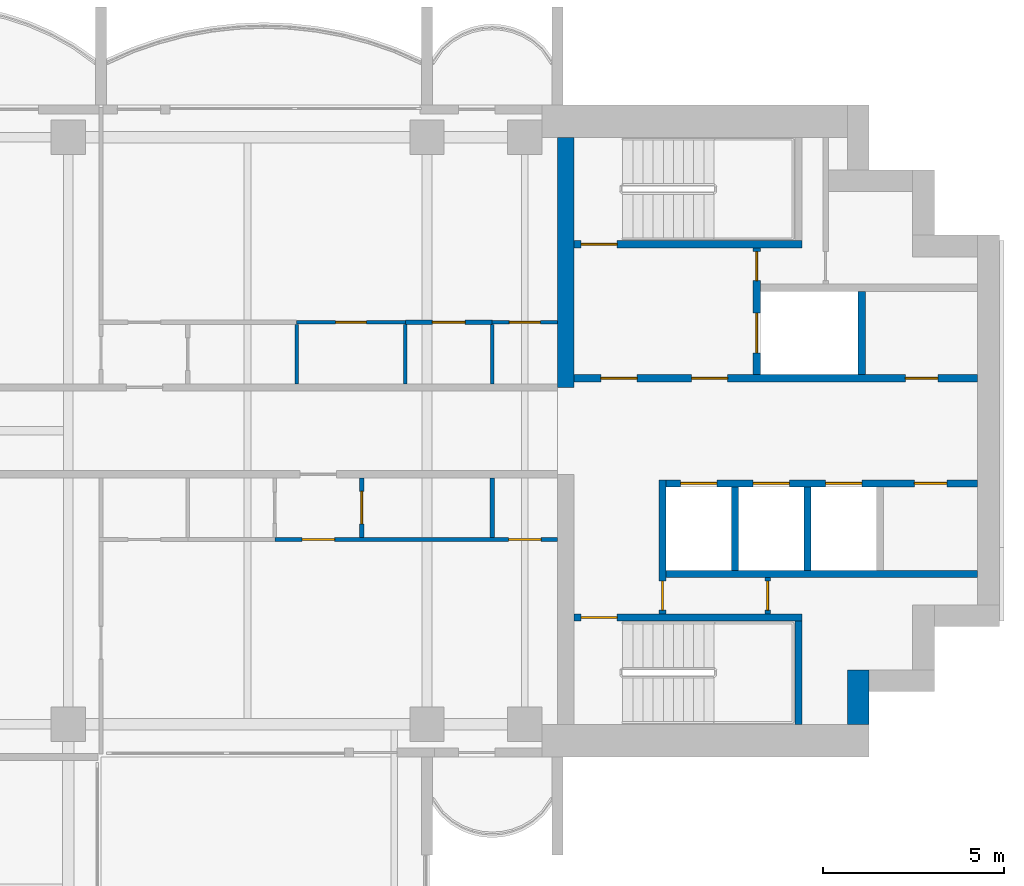
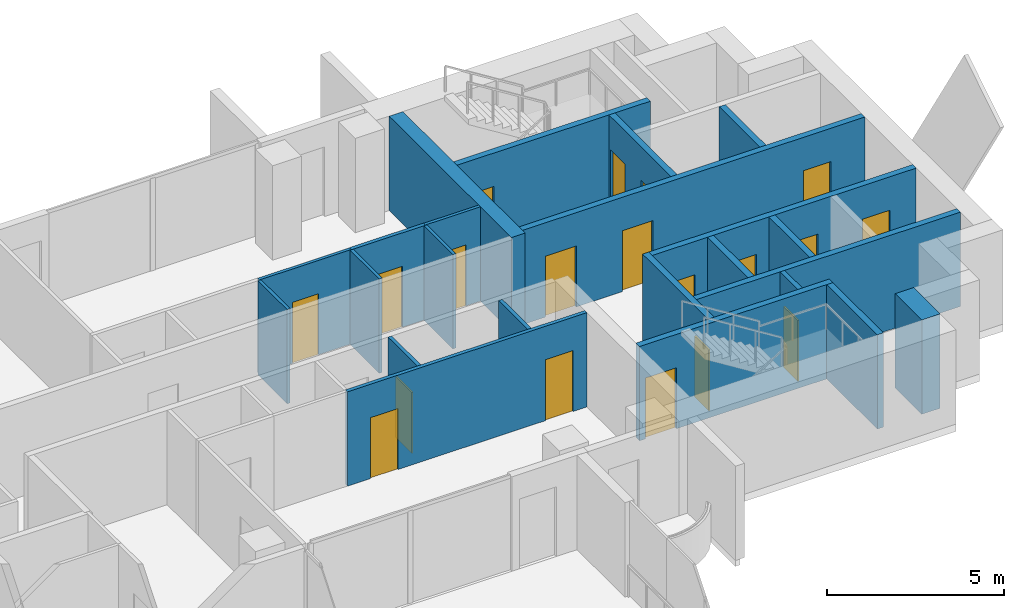
# One storey, part 12 of 17: 23 walls, 19 doors, 19 openings.
"""IFC4 building model written with IfcOpenShell, lengths in metres."""

from ifc_helpers import new_model, si_unit, direction, frame, frame_2d, origin, place, context, subcontext, project, spatial, rectangle, extrude, material, layer, layer_set, type_object, element, fill, save


model = new_model("IFC4")

# Units and contexts
model_context = context("Model", 3, precision=1e-05, world=origin(), true_north=direction((0.0, 1.0)))
body_context = subcontext(model_context, "Body", "Model", "MODEL_VIEW")
ifc_project = project(units=[si_unit("LENGTHUNIT", "METRE"), si_unit("AREAUNIT", "SQUARE_METRE"), si_unit("VOLUMEUNIT", "CUBIC_METRE"), si_unit("PLANEANGLEUNIT", "RADIAN"), si_unit("MASSUNIT", "GRAM", prefix="KILO")], contexts=[model_context])

# Site, building, storey
site_placement = place(None, origin())
site = spatial("IfcSite", under=ifc_project, at=site_placement, CompositionType="ELEMENT")
building_placement = place(site_placement, origin())
building = spatial("IfcBuilding", under=site, at=building_placement, Name="Perihelion Cross Residences", CompositionType="ELEMENT")
storey_placement = place(building_placement, frame((0.0, 0.0, 191.10009765625)))
storey = spatial("IfcBuildingStorey", under=building, at=storey_placement, Name="L47", CompositionType="ELEMENT", Elevation=191.10009765625)

# Walls
ifc_material_1 = material(Name="Concrete C60/75", Category="concrete")
ifc_layer_1 = layer(ifc_material_1, 0.449951171875)
ifc_layer_set_1 = layer_set([ifc_layer_1], Name="Core wall, inner 450")
wall_type_1 = type_object("IfcWallType", Name="Core wall, inner 450", PredefinedType="SHEAR", material=ifc_layer_set_1)
wall_1_placement = place(storey_placement, frame((21.824951171875, 1.199951171875, 0.0), z_axis=(0.0, 0.0, 1.0), x_axis=(0.0, 1.0, 0.0)))
element("IfcWall", 1, at=wall_1_placement, inside=storey, type_object=wall_type_1, Name="East core core wall, inner", PredefinedType="SHEAR", context=body_context, shape_type="SweptSolid", body=[
    extrude(rectangle(XDim=6.900146484375, YDim=0.449951171875, at=frame_2d((3.4501953125, 0.0))), origin(), (0.0, 0.0, 1.0), 3.25),
])
ifc_material_2 = material(Name="Concrete C60/75", Category="concrete")
ifc_layer_2 = layer(ifc_material_2, 0.60009765625)
ifc_layer_set_2 = layer_set([ifc_layer_2], Name="Core wall, outer 600")
wall_type_2 = type_object("IfcWallType", Name="Core wall, outer 600", PredefinedType="SHEAR", material=ifc_layer_set_2)
wall_2_placement = place(storey_placement, frame((29.89990234375, -8.10009765625, 0.0), z_axis=(0.0, 0.0, 1.0), x_axis=(0.0, 1.0, 0.0)))
element("IfcWall", 2, at=wall_2_placement, inside=storey, type_object=wall_type_2, Name="East core core wall, outer", PredefinedType="SHEAR", context=body_context, shape_type="SweptSolid", body=[
    extrude(rectangle(XDim=1.5, YDim=0.60009765625, at=frame_2d((0.75, 0.0))), origin(), (0.0, 0.0, 1.0), 3.25),
])

# Wall, opening, door
ifc_material_3 = material(Name="Concrete C50/60", Category="concrete")
ifc_layer_3 = layer(ifc_material_3, 0.199951171875)
ifc_layer_set_3 = layer_set([ifc_layer_3], Name="Lobby wall 200")
wall_type_3 = type_object("IfcWallType", Name="Lobby wall 200", PredefinedType="SOLIDWALL", material=ifc_layer_set_3)
wall_3_placement = place(storey_placement, frame((24.5, -5.050048828125, 0.0), z_axis=(0.0, 0.0, 1.0), x_axis=(0.0, 1.0, 0.0)))
wall_3 = element("IfcWall", 3, at=wall_3_placement, inside=storey, type_object=wall_type_3, Name="East core lobby wall", PredefinedType="SOLIDWALL", context=body_context, shape_type="SweptSolid", body=[
    extrude(rectangle(XDim=3.699951171875, YDim=0.199951171875, at=frame_2d((1.85009765625, 0.0))), origin(), (0.0, 0.0, 1.0), 3.25),
])
opening_1_placement = place(wall_3_placement, frame((0.10009765625, 0.0, 0.0)))
opening_1 = element("IfcOpeningElement", 4, at=opening_1_placement, cuts=wall_3, Name="Opening L47.C08", PredefinedType="OPENING", context=body_context, shape_type="SweptSolid", body=[
    extrude(rectangle(XDim=0.800048828125, YDim=2.10009765625, at=frame_2d((0.39990234375, 1.050048828125))), frame((0.0, 0.10986328125, 0.0), z_axis=(0.0, -1.0, 0.0), x_axis=(1.0, 0.0, 0.0)), (0.0, 0.0, 1.0), 0.219970703125),
])
ifc_material_4 = material(Name="Steel, powder coated", Category="steel")
door_type_1 = type_object("IfcDoorType", Name="Riser door 800", OperationType="SINGLE_SWING_LEFT", PredefinedType="DOOR", material=ifc_material_4)
door_1_placement = place(opening_1_placement, origin())
door_1 = element("IfcDoor", 5, at=door_1_placement, inside=storey, type_object=door_type_1, Name="East core riser door", OperationType="SINGLE_SWING_LEFT", OverallHeight=2.10009765625, OverallWidth=0.800048828125, PredefinedType="DOOR", context=body_context, shape_type="SweptSolid", body=[
    extrude(rectangle(XDim=0.800048828125, YDim=2.10009765625, at=frame_2d((0.39990234375, 1.050048828125))), frame((0.0, 0.02490234375, 0.0), z_axis=(0.0, -1.0, 0.0), x_axis=(1.0, 0.0, 0.0)), (0.0, 0.0, 1.0), 0.050048828125),
])
fill(opening_1, door_1)

ifc_material_5 = material(Name="Plasterboard partition")
ifc_layer_4 = layer(ifc_material_5, 0.1201171875)
ifc_layer_set_4 = layer_set([ifc_layer_4], Name="Partition wall 120")
wall_type_4 = type_object("IfcWallType", Name="Partition wall 120", PredefinedType="PARTITIONING", material=ifc_layer_set_4)
wall_4_placement = place(storey_placement, frame((17.39990234375, 3.0, 0.0), z_axis=(0.0, 0.0, 1.0), x_axis=(1.0, 0.0, 0.0)))
wall_4 = element("IfcWall", 6, at=wall_4_placement, inside=storey, type_object=wall_type_4, Name="Partition L47 W029", PredefinedType="PARTITIONING", context=body_context, shape_type="SweptSolid", body=[
    extrude(rectangle(XDim=2.400146484375, YDim=0.1201171875, at=frame_2d((1.2001953125, 0.0))), origin(), (0.0, 0.0, 1.0), 3.25),
])
opening_2_placement = place(wall_4_placement, frame((0.75, 0.0, 0.0)))
opening_2 = element("IfcOpeningElement", 7, at=opening_2_placement, cuts=wall_4, Name="Opening L47.A08", PredefinedType="OPENING", context=body_context, shape_type="SweptSolid", body=[
    extrude(rectangle(XDim=0.89990234375, YDim=2.10009765625, at=frame_2d((0.449951171875, 1.050048828125))), frame((0.0, 0.070068359375, 0.0), z_axis=(0.0, -1.0, 0.0), x_axis=(1.0, 0.0, 0.0)), (0.0, 0.0, 1.0), 0.14013671875),
])
ifc_material_6 = material(Name="Timber door leaf", Category="wood")
door_type_2 = type_object("IfcDoorType", Name="Interior room door 900 x 2100", OperationType="SINGLE_SWING_LEFT", PredefinedType="DOOR", material=ifc_material_6)
door_2_placement = place(opening_2_placement, origin())
door_2 = element("IfcDoor", 8, at=door_2_placement, inside=storey, type_object=door_type_2, Name="Door L47.A08", OperationType="SINGLE_SWING_RIGHT", OverallHeight=2.10009765625, OverallWidth=0.89990234375, PredefinedType="DOOR", context=body_context, shape_type="SweptSolid", body=[
    extrude(rectangle(XDim=0.89990234375, YDim=2.10009765625, at=frame_2d((0.449951171875, 1.050048828125))), frame((0.0, 0.02490234375, 0.0), z_axis=(0.0, -1.0, 0.0), x_axis=(1.0, 0.0, 0.0)), (0.0, 0.0, 1.0), 0.050048828125),
])
fill(opening_2, door_2)

wall_5_placement = place(storey_placement, frame((16.199951171875, -1.300048828125, 0.0), z_axis=(0.0, 0.0, 1.0), x_axis=(0.0, -1.0, 0.0)))
wall_5 = element("IfcWall", 9, at=wall_5_placement, inside=storey, type_object=wall_type_4, Name="Partition L47 W037", PredefinedType="PARTITIONING", context=body_context, shape_type="SweptSolid", body=[
    extrude(rectangle(XDim=1.639892578125, YDim=0.1201171875, at=frame_2d((0.81982421875, 0.0))), origin(), (0.0, 0.0, 1.0), 3.25),
])
opening_3_placement = place(wall_5_placement, frame((0.3701171875, 0.0, 0.0)))
opening_3 = element("IfcOpeningElement", 10, at=opening_3_placement, cuts=wall_5, Name="Opening L47.A10", PredefinedType="OPENING", context=body_context, shape_type="SweptSolid", body=[
    extrude(rectangle(XDim=0.89990234375, YDim=2.10009765625, at=frame_2d((0.449951171875, 1.050048828125))), frame((0.0, 0.070068359375, 0.0), z_axis=(0.0, -1.0, 0.0), x_axis=(1.0, 0.0, 0.0)), (0.0, 0.0, 1.0), 0.14013671875),
])
door_3_placement = place(opening_3_placement, origin())
door_3 = element("IfcDoor", 11, at=door_3_placement, inside=storey, type_object=door_type_2, Name="Door L47.A10", OperationType="SINGLE_SWING_LEFT", OverallHeight=2.10009765625, OverallWidth=0.89990234375, PredefinedType="DOOR", context=body_context, shape_type="SweptSolid", body=[
    extrude(rectangle(XDim=0.89990234375, YDim=2.10009765625, at=frame_2d((0.449951171875, 1.050048828125))), frame((0.0, 0.02490234375, 0.0), z_axis=(0.0, -1.0, 0.0), x_axis=(1.0, 0.0, 0.0)), (0.0, 0.0, 1.0), 0.050048828125),
])
fill(opening_3, door_3)

# Wall, openings, doors
wall_6_placement = place(storey_placement, frame((21.60009765625, -3.0, 0.0), z_axis=(0.0, 0.0, 1.0), x_axis=(-1.0, 0.0, 0.0)))
wall_6 = element("IfcWall", 12, at=wall_6_placement, inside=storey, type_object=wall_type_4, Name="Partition L47 W038", PredefinedType="PARTITIONING", context=body_context, shape_type="SweptSolid", body=[
    extrude(rectangle(XDim=7.800048828125, YDim=0.1201171875, at=frame_2d((3.89990234375, 0.0))), origin(), (0.0, 0.0, 1.0), 3.25),
])
opening_4_placement = place(wall_6_placement, frame((0.449951171875, 0.0, 0.0)))
opening_4 = element("IfcOpeningElement", 13, at=opening_4_placement, cuts=wall_6, Name="Opening L47.A11", PredefinedType="OPENING", context=body_context, shape_type="SweptSolid", body=[
    extrude(rectangle(XDim=0.89990234375, YDim=2.10009765625, at=frame_2d((0.449951171875, 1.050048828125))), frame((0.0, 0.070068359375, 0.0), z_axis=(0.0, -1.0, 0.0), x_axis=(1.0, 0.0, 0.0)), (0.0, 0.0, 1.0), 0.14013671875),
])
opening_5_placement = place(wall_6_placement, frame((6.14990234375, 0.0, 0.0)))
opening_5 = element("IfcOpeningElement", 14, at=opening_5_placement, cuts=wall_6, Name="Opening L47.A15", PredefinedType="OPENING", context=body_context, shape_type="SweptSolid", body=[
    extrude(rectangle(XDim=0.89990234375, YDim=2.10009765625, at=frame_2d((0.449951171875, 1.050048828125))), frame((0.0, 0.070068359375, 0.0), z_axis=(0.0, -1.0, 0.0), x_axis=(1.0, 0.0, 0.0)), (0.0, 0.0, 1.0), 0.14013671875),
])
door_4_placement = place(opening_4_placement, origin())
door_4 = element("IfcDoor", 15, at=door_4_placement, inside=storey, type_object=door_type_2, Name="Door L47.A11", OperationType="SINGLE_SWING_RIGHT", OverallHeight=2.10009765625, OverallWidth=0.89990234375, PredefinedType="DOOR", context=body_context, shape_type="SweptSolid", body=[
    extrude(rectangle(XDim=0.89990234375, YDim=2.10009765625, at=frame_2d((0.449951171875, 1.050048828125))), frame((0.0, 0.02490234375, 0.0), z_axis=(0.0, -1.0, 0.0), x_axis=(1.0, 0.0, 0.0)), (0.0, 0.0, 1.0), 0.050048828125),
])
fill(opening_4, door_4)
door_5_placement = place(opening_5_placement, origin())
door_5 = element("IfcDoor", 16, at=door_5_placement, inside=storey, type_object=door_type_2, Name="Door L47.A15", OperationType="SINGLE_SWING_RIGHT", OverallHeight=2.10009765625, OverallWidth=0.89990234375, PredefinedType="DOOR", context=body_context, shape_type="SweptSolid", body=[
    extrude(rectangle(XDim=0.89990234375, YDim=2.10009765625, at=frame_2d((0.449951171875, 1.050048828125))), frame((0.0, 0.02490234375, 0.0), z_axis=(0.0, -1.0, 0.0), x_axis=(1.0, 0.0, 0.0)), (0.0, 0.0, 1.0), 0.050048828125),
])
fill(opening_5, door_5)

# Wall
wall_7_placement = place(storey_placement, frame((19.800048828125, -1.300048828125, 0.0), z_axis=(0.0, 0.0, 1.0), x_axis=(0.0, -1.0, 0.0)))
element("IfcWall", 17, at=wall_7_placement, inside=storey, type_object=wall_type_4, Name="Partition L47 W039", PredefinedType="PARTITIONING", context=body_context, shape_type="SweptSolid", body=[
    extrude(rectangle(XDim=1.639892578125, YDim=0.1201171875, at=frame_2d((0.81982421875, 0.0))), origin(), (0.0, 0.0, 1.0), 3.25),
])

# Wall, opening, door
ifc_material_7 = material(Name="Fire-rated board on steel stud", Category="steel")
ifc_layer_5 = layer(ifc_material_7, 0.14990234375)
ifc_layer_set_5 = layer_set([ifc_layer_5], Name="Riser wall 150")
wall_type_5 = type_object("IfcWallType", Name="Riser wall 150", PredefinedType="PARTITIONING", material=ifc_layer_set_5)
wall_8_placement = place(storey_placement, frame((27.39990234375, -5.050048828125, 0.0), z_axis=(0.0, 0.0, 1.0), x_axis=(0.0, 1.0, 0.0)))
wall_8 = element("IfcWall", 18, at=wall_8_placement, inside=storey, type_object=wall_type_5, Name="East core riser wall", PredefinedType="PARTITIONING", context=body_context, shape_type="SweptSolid", body=[
    extrude(rectangle(XDim=1.0, YDim=0.14990234375, at=frame_2d((0.5, 0.0))), origin(), (0.0, 0.0, 1.0), 3.25),
])
opening_6_placement = place(wall_8_placement, frame((0.10009765625, 0.0, 0.0)))
opening_6 = element("IfcOpeningElement", 19, at=opening_6_placement, cuts=wall_8, Name="Opening L47.C11", PredefinedType="OPENING", context=body_context, shape_type="SweptSolid", body=[
    extrude(rectangle(XDim=0.800048828125, YDim=2.10009765625, at=frame_2d((0.39990234375, 1.050048828125))), frame((0.0, 0.0849609375, 0.0), z_axis=(0.0, -1.0, 0.0), x_axis=(1.0, 0.0, 0.0)), (0.0, 0.0, 1.0), 0.169921875),
])
door_6_placement = place(opening_6_placement, origin())
door_6 = element("IfcDoor", 20, at=door_6_placement, inside=storey, type_object=door_type_1, Name="East core riser door", OperationType="SINGLE_SWING_LEFT", OverallHeight=2.10009765625, OverallWidth=0.800048828125, PredefinedType="DOOR", context=body_context, shape_type="SweptSolid", body=[
    extrude(rectangle(XDim=0.800048828125, YDim=2.10009765625, at=frame_2d((0.39990234375, 1.050048828125))), frame((0.0, 0.02490234375, 0.0), z_axis=(0.0, -1.0, 0.0), x_axis=(1.0, 0.0, 0.0)), (0.0, 0.0, 1.0), 0.050048828125),
])
fill(opening_6, door_6)

# Wall, openings, doors
ifc_material_8 = material(Name="Concrete C50/60", Category="concrete")
ifc_layer_6 = layer(ifc_material_8, 0.199951171875)
ifc_layer_set_6 = layer_set([ifc_layer_6], Name="Shaft wall 200")
wall_type_6 = type_object("IfcWallType", Name="Shaft wall 200", PredefinedType="SOLIDWALL", material=ifc_layer_set_6)
wall_9_placement = place(storey_placement, frame((22.050048828125, 1.449951171875, 0.0), z_axis=(0.0, 0.0, 1.0), x_axis=(1.0, 0.0, 0.0)))
wall_9 = element("IfcWall", 21, at=wall_9_placement, inside=storey, type_object=wall_type_6, Name="East core shaft wall", PredefinedType="SOLIDWALL", context=body_context, shape_type="SweptSolid", body=[
    extrude(rectangle(XDim=11.14990234375, YDim=0.199951171875, at=frame_2d((5.574951171875, 0.0))), origin(), (0.0, 0.0, 1.0), 3.25),
])
opening_7_placement = place(wall_9_placement, frame((0.75, 0.0, 0.0)))
opening_7 = element("IfcOpeningElement", 22, at=opening_7_placement, cuts=wall_9, Name="Opening L47.C07", PredefinedType="OPENING", context=body_context, shape_type="SweptSolid", body=[
    extrude(rectangle(XDim=1.0, YDim=2.10009765625, at=frame_2d((0.5, 1.050048828125))), frame((0.0, 0.10986328125, 0.0), z_axis=(0.0, -1.0, 0.0), x_axis=(1.0, 0.0, 0.0)), (0.0, 0.0, 1.0), 0.219970703125),
])
opening_8_placement = place(wall_9_placement, frame((3.25, 0.0, 0.0)))
opening_8 = element("IfcOpeningElement", 23, at=opening_8_placement, cuts=wall_9, Name="Opening L47.C09", PredefinedType="OPENING", context=body_context, shape_type="SweptSolid", body=[
    extrude(rectangle(XDim=1.0, YDim=2.10009765625, at=frame_2d((0.5, 1.050048828125))), frame((0.0, 0.10986328125, 0.0), z_axis=(0.0, -1.0, 0.0), x_axis=(1.0, 0.0, 0.0)), (0.0, 0.0, 1.0), 0.219970703125),
])
opening_9_placement = place(wall_9_placement, frame((9.14990234375, 0.0, 0.0)))
opening_9 = element("IfcOpeningElement", 24, at=opening_9_placement, cuts=wall_9, Name="Opening L47.C13", PredefinedType="OPENING", context=body_context, shape_type="SweptSolid", body=[
    extrude(rectangle(XDim=0.89990234375, YDim=2.10009765625, at=frame_2d((0.449951171875, 1.050048828125))), frame((0.0, 0.10986328125, 0.0), z_axis=(0.0, -1.0, 0.0), x_axis=(1.0, 0.0, 0.0)), (0.0, 0.0, 1.0), 0.219970703125),
])
ifc_material_9 = material(Name="Steel, powder coated", Category="steel")
door_type_3 = type_object("IfcDoorType", Name="Lobby door 1000", OperationType="SINGLE_SWING_LEFT", PredefinedType="DOOR", material=ifc_material_9)
door_7_placement = place(opening_7_placement, origin())
door_7 = element("IfcDoor", 25, at=door_7_placement, inside=storey, type_object=door_type_3, Name="East core firefighting lobby door", OperationType="SINGLE_SWING_LEFT", OverallHeight=2.10009765625, OverallWidth=1.0, PredefinedType="DOOR", context=body_context, shape_type="SweptSolid", body=[
    extrude(rectangle(XDim=1.0, YDim=2.10009765625, at=frame_2d((0.5, 1.050048828125))), frame((0.0, 0.02490234375, 0.0), z_axis=(0.0, -1.0, 0.0), x_axis=(1.0, 0.0, 0.0)), (0.0, 0.0, 1.0), 0.050048828125),
])
fill(opening_7, door_7)
door_8_placement = place(opening_8_placement, origin())
door_8 = element("IfcDoor", 26, at=door_8_placement, inside=storey, type_object=door_type_3, Name="East core firefighting lobby door", OperationType="SINGLE_SWING_LEFT", OverallHeight=2.10009765625, OverallWidth=1.0, PredefinedType="DOOR", context=body_context, shape_type="SweptSolid", body=[
    extrude(rectangle(XDim=1.0, YDim=2.10009765625, at=frame_2d((0.5, 1.050048828125))), frame((0.0, 0.02490234375, 0.0), z_axis=(0.0, -1.0, 0.0), x_axis=(1.0, 0.0, 0.0)), (0.0, 0.0, 1.0), 0.050048828125),
])
fill(opening_8, door_8)
ifc_material_10 = material(Name="Steel, powder coated", Category="steel")
door_type_4 = type_object("IfcDoorType", Name="Service room door 900", OperationType="SINGLE_SWING_LEFT", PredefinedType="DOOR", material=ifc_material_10)
door_9_placement = place(opening_9_placement, origin())
door_9 = element("IfcDoor", 27, at=door_9_placement, inside=storey, type_object=door_type_4, Name="East core service room door", OperationType="SINGLE_SWING_LEFT", OverallHeight=2.10009765625, OverallWidth=0.89990234375, PredefinedType="DOOR", context=body_context, shape_type="SweptSolid", body=[
    extrude(rectangle(XDim=0.89990234375, YDim=2.10009765625, at=frame_2d((0.449951171875, 1.050048828125))), frame((0.0, 0.02490234375, 0.0), z_axis=(0.0, -1.0, 0.0), x_axis=(1.0, 0.0, 0.0)), (0.0, 0.0, 1.0), 0.050048828125),
])
fill(opening_9, door_9)

wall_10_placement = place(storey_placement, frame((24.60009765625, -1.449951171875, 0.0), z_axis=(0.0, 0.0, 1.0), x_axis=(1.0, 0.0, 0.0)))
wall_10 = element("IfcWall", 28, at=wall_10_placement, inside=storey, type_object=wall_type_6, Name="East core shaft wall", PredefinedType="SOLIDWALL", context=body_context, shape_type="SweptSolid", body=[
    extrude(rectangle(XDim=8.599853515625, YDim=0.199951171875, at=frame_2d((4.2998046875, 0.0))), origin(), (0.0, 0.0, 1.0), 3.25),
])
opening_10_placement = place(wall_10_placement, frame((0.39990234375, 0.0, 0.0)))
opening_10 = element("IfcOpeningElement", 29, at=opening_10_placement, cuts=wall_10, Name="Opening L47.C01", PredefinedType="OPENING", context=body_context, shape_type="SweptSolid", body=[
    extrude(rectangle(XDim=1.0, YDim=2.10009765625, at=frame_2d((0.5, 1.050048828125))), frame((0.0, 0.10986328125, 0.0), z_axis=(0.0, -1.0, 0.0), x_axis=(1.0, 0.0, 0.0)), (0.0, 0.0, 1.0), 0.219970703125),
])
opening_11_placement = place(wall_10_placement, frame((2.39990234375, 0.0, 0.0)))
opening_11 = element("IfcOpeningElement", 30, at=opening_11_placement, cuts=wall_10, Name="Opening L47.C03", PredefinedType="OPENING", context=body_context, shape_type="SweptSolid", body=[
    extrude(rectangle(XDim=1.0, YDim=2.10009765625, at=frame_2d((0.5, 1.050048828125))), frame((0.0, 0.10986328125, 0.0), z_axis=(0.0, -1.0, 0.0), x_axis=(1.0, 0.0, 0.0)), (0.0, 0.0, 1.0), 0.219970703125),
])
opening_12_placement = place(wall_10_placement, frame((4.39990234375, 0.0, 0.0)))
opening_12 = element("IfcOpeningElement", 31, at=opening_12_placement, cuts=wall_10, Name="Opening L47.C04", PredefinedType="OPENING", context=body_context, shape_type="SweptSolid", body=[
    extrude(rectangle(XDim=1.0, YDim=2.10009765625, at=frame_2d((0.5, 1.050048828125))), frame((0.0, 0.10986328125, 0.0), z_axis=(0.0, -1.0, 0.0), x_axis=(1.0, 0.0, 0.0)), (0.0, 0.0, 1.0), 0.219970703125),
])
opening_13_placement = place(wall_10_placement, frame((6.85009765625, 0.0, 0.0)))
opening_13 = element("IfcOpeningElement", 32, at=opening_13_placement, cuts=wall_10, Name="Opening L47.C14", PredefinedType="OPENING", context=body_context, shape_type="SweptSolid", body=[
    extrude(rectangle(XDim=0.89990234375, YDim=2.10009765625, at=frame_2d((0.449951171875, 1.050048828125))), frame((0.0, 0.10986328125, 0.0), z_axis=(0.0, -1.0, 0.0), x_axis=(1.0, 0.0, 0.0)), (0.0, 0.0, 1.0), 0.219970703125),
])
ifc_material_11 = material(Name="Stainless steel", Category="steel")
door_type_5 = type_object("IfcDoorType", Name="Landing door 1000", OperationType="DOUBLE_DOOR_SLIDING", PredefinedType="DOOR", material=ifc_material_11)
door_10_placement = place(opening_10_placement, origin())
door_10 = element("IfcDoor", 33, at=door_10_placement, inside=storey, type_object=door_type_5, Name="Landing door, East core high-rise lift 1", OperationType="DOUBLE_DOOR_SLIDING", OverallHeight=2.10009765625, OverallWidth=1.0, PredefinedType="DOOR", context=body_context, shape_type="SweptSolid", body=[
    extrude(rectangle(XDim=1.0, YDim=2.10009765625, at=frame_2d((0.5, 1.050048828125))), frame((0.0, 0.02490234375, 0.0), z_axis=(0.0, -1.0, 0.0), x_axis=(1.0, 0.0, 0.0)), (0.0, 0.0, 1.0), 0.050048828125),
])
fill(opening_10, door_10)
door_11_placement = place(opening_11_placement, origin())
door_11 = element("IfcDoor", 34, at=door_11_placement, inside=storey, type_object=door_type_5, Name="Landing door, East core high-rise lift 2", OperationType="DOUBLE_DOOR_SLIDING", OverallHeight=2.10009765625, OverallWidth=1.0, PredefinedType="DOOR", context=body_context, shape_type="SweptSolid", body=[
    extrude(rectangle(XDim=1.0, YDim=2.10009765625, at=frame_2d((0.5, 1.050048828125))), frame((0.0, 0.02490234375, 0.0), z_axis=(0.0, -1.0, 0.0), x_axis=(1.0, 0.0, 0.0)), (0.0, 0.0, 1.0), 0.050048828125),
])
fill(opening_11, door_11)
door_12_placement = place(opening_12_placement, origin())
door_12 = element("IfcDoor", 35, at=door_12_placement, inside=storey, type_object=door_type_5, Name="Landing door, East core high-rise lift 3", OperationType="DOUBLE_DOOR_SLIDING", OverallHeight=2.10009765625, OverallWidth=1.0, PredefinedType="DOOR", context=body_context, shape_type="SweptSolid", body=[
    extrude(rectangle(XDim=1.0, YDim=2.10009765625, at=frame_2d((0.5, 1.050048828125))), frame((0.0, 0.02490234375, 0.0), z_axis=(0.0, -1.0, 0.0), x_axis=(1.0, 0.0, 0.0)), (0.0, 0.0, 1.0), 0.050048828125),
])
fill(opening_12, door_12)
door_13_placement = place(opening_13_placement, origin())
door_13 = element("IfcDoor", 36, at=door_13_placement, inside=storey, type_object=door_type_4, Name="East core service room door", OperationType="SINGLE_SWING_LEFT", OverallHeight=2.10009765625, OverallWidth=0.89990234375, PredefinedType="DOOR", context=body_context, shape_type="SweptSolid", body=[
    extrude(rectangle(XDim=0.89990234375, YDim=2.10009765625, at=frame_2d((0.449951171875, 1.050048828125))), frame((0.0, 0.02490234375, 0.0), z_axis=(0.0, -1.0, 0.0), x_axis=(1.0, 0.0, 0.0)), (0.0, 0.0, 1.0), 0.050048828125),
])
fill(opening_13, door_13)

# Wall
wall_11_placement = place(storey_placement, frame((24.60009765625, -3.949951171875, 0.0), z_axis=(0.0, 0.0, 1.0), x_axis=(1.0, 0.0, 0.0)))
element("IfcWall", 37, at=wall_11_placement, inside=storey, type_object=wall_type_6, Name="East core shaft wall", PredefinedType="SOLIDWALL", context=body_context, shape_type="SweptSolid", body=[
    extrude(rectangle(XDim=8.599853515625, YDim=0.199951171875, at=frame_2d((4.2998046875, 0.0))), origin(), (0.0, 0.0, 1.0), 3.25),
])

# Wall, openings, doors
wall_12_placement = place(storey_placement, frame((27.10009765625, 1.550048828125, 0.0), z_axis=(0.0, 0.0, 1.0), x_axis=(0.0, 1.0, 0.0)))
wall_12 = element("IfcWall", 38, at=wall_12_placement, inside=storey, type_object=wall_type_6, Name="East core shaft wall", PredefinedType="SOLIDWALL", context=body_context, shape_type="SweptSolid", body=[
    extrude(rectangle(XDim=3.5, YDim=0.199951171875, at=frame_2d((1.75, 0.0))), origin(), (0.0, 0.0, 1.0), 3.25),
])
opening_14_placement = place(wall_12_placement, frame((0.60009765625, 0.0, 0.0)))
opening_14 = element("IfcOpeningElement", 39, at=opening_14_placement, cuts=wall_12, Name="Opening L47.C02", PredefinedType="OPENING", context=body_context, shape_type="SweptSolid", body=[
    extrude(rectangle(XDim=1.10009765625, YDim=2.10009765625, at=frame_2d((0.550048828125, 1.050048828125))), frame((0.0, 0.10986328125, 0.0), z_axis=(0.0, -1.0, 0.0), x_axis=(1.0, 0.0, 0.0)), (0.0, 0.0, 1.0), 0.219970703125),
])
opening_15_placement = place(wall_12_placement, frame((2.60009765625, 0.0, 0.0)))
opening_15 = element("IfcOpeningElement", 40, at=opening_15_placement, cuts=wall_12, Name="Opening L47.C10", PredefinedType="OPENING", context=body_context, shape_type="SweptSolid", body=[
    extrude(rectangle(XDim=0.800048828125, YDim=2.10009765625, at=frame_2d((0.39990234375, 1.050048828125))), frame((0.0, 0.10986328125, 0.0), z_axis=(0.0, -1.0, 0.0), x_axis=(1.0, 0.0, 0.0)), (0.0, 0.0, 1.0), 0.219970703125),
])
ifc_material_12 = material(Name="Stainless steel", Category="steel")
door_type_6 = type_object("IfcDoorType", Name="Landing door, firefighting lift 1100", OperationType="DOUBLE_DOOR_SLIDING", PredefinedType="DOOR", material=ifc_material_12)
door_14_placement = place(opening_14_placement, origin())
door_14 = element("IfcDoor", 41, at=door_14_placement, inside=storey, type_object=door_type_6, Name="Landing door, East core firefighting and service lift", OperationType="DOUBLE_DOOR_SLIDING", OverallHeight=2.10009765625, OverallWidth=1.10009765625, PredefinedType="DOOR", context=body_context, shape_type="SweptSolid", body=[
    extrude(rectangle(XDim=1.10009765625, YDim=2.10009765625, at=frame_2d((0.550048828125, 1.050048828125))), frame((0.0, 0.02490234375, 0.0), z_axis=(0.0, -1.0, 0.0), x_axis=(1.0, 0.0, 0.0)), (0.0, 0.0, 1.0), 0.050048828125),
])
fill(opening_14, door_14)
door_15_placement = place(opening_15_placement, origin())
door_15 = element("IfcDoor", 42, at=door_15_placement, inside=storey, type_object=door_type_1, Name="East core riser door", OperationType="SINGLE_SWING_LEFT", OverallHeight=2.10009765625, OverallWidth=0.800048828125, PredefinedType="DOOR", context=body_context, shape_type="SweptSolid", body=[
    extrude(rectangle(XDim=0.800048828125, YDim=2.10009765625, at=frame_2d((0.39990234375, 1.050048828125))), frame((0.0, 0.02490234375, 0.0), z_axis=(0.0, -1.0, 0.0), x_axis=(1.0, 0.0, 0.0)), (0.0, 0.0, 1.0), 0.050048828125),
])
fill(opening_15, door_15)

# Walls
for number, where, z_axis, x_axis, name in (
    (43, (30.0, 1.550048828125, 0.0), (0.0, 0.0, 1.0), (0.0, 1.0, 0.0), "East core shaft wall"),
    (44, (26.5, -3.85009765625, 0.0), (0.0, 0.0, 1.0), (0.0, 1.0, 0.0), "East core shaft wall"),
    (45, (28.5, -3.85009765625, 0.0), (0.0, 0.0, 1.0), (0.0, 1.0, 0.0), "East core shaft wall"),
):
    element("IfcWall", number, at=place(storey_placement, frame(where, z_axis=z_axis, x_axis=x_axis)), inside=storey, type_object=wall_type_6, Name=name, PredefinedType="SOLIDWALL", context=body_context, shape_type="SweptSolid", body=[
        extrude(rectangle(XDim=2.300048828125, YDim=0.199951171875, at=frame_2d((1.14990234375, 0.0))), origin(), (0.0, 0.0, 1.0), 3.25),
    ])

# Wall, opening, door
ifc_material_13 = material(Name="Concrete C50/60", Category="concrete")
ifc_layer_7 = layer(ifc_material_13, 0.199951171875)
ifc_layer_set_7 = layer_set([ifc_layer_7], Name="Stair wall 200")
wall_type_7 = type_object("IfcWallType", Name="Stair wall 200", PredefinedType="SOLIDWALL", material=ifc_layer_set_7)
wall_13_placement = place(storey_placement, frame((22.050048828125, 5.14990234375, 0.0), z_axis=(0.0, 0.0, 1.0), x_axis=(1.0, 0.0, 0.0)))
wall_13 = element("IfcWall", 46, at=wall_13_placement, inside=storey, type_object=wall_type_7, Name="East core stair wall", PredefinedType="SOLIDWALL", context=body_context, shape_type="SweptSolid", body=[
    extrude(rectangle(XDim=6.300048828125, YDim=0.199951171875, at=frame_2d((3.14990234375, 0.0))), origin(), (0.0, 0.0, 1.0), 3.25),
])
opening_16_placement = place(wall_13_placement, frame((0.199951171875, 0.0, 0.0)))
opening_16 = element("IfcOpeningElement", 47, at=opening_16_placement, cuts=wall_13, Name="Opening L47.C06", PredefinedType="OPENING", context=body_context, shape_type="SweptSolid", body=[
    extrude(rectangle(XDim=1.0, YDim=2.10009765625, at=frame_2d((0.5, 1.050048828125))), frame((0.0, 0.10986328125, 0.0), z_axis=(0.0, -1.0, 0.0), x_axis=(1.0, 0.0, 0.0)), (0.0, 0.0, 1.0), 0.219970703125),
])
ifc_material_14 = material(Name="Steel, powder coated", Category="steel")
door_type_7 = type_object("IfcDoorType", Name="Stair door 1000", OperationType="SINGLE_SWING_LEFT", PredefinedType="DOOR", material=ifc_material_14)
door_16_placement = place(opening_16_placement, origin())
door_16 = element("IfcDoor", 48, at=door_16_placement, inside=storey, type_object=door_type_7, Name="East core stair door", OperationType="SINGLE_SWING_LEFT", OverallHeight=2.10009765625, OverallWidth=1.0, PredefinedType="DOOR", context=body_context, shape_type="SweptSolid", body=[
    extrude(rectangle(XDim=1.0, YDim=2.10009765625, at=frame_2d((0.5, 1.050048828125))), frame((0.0, 0.02490234375, 0.0), z_axis=(0.0, -1.0, 0.0), x_axis=(1.0, 0.0, 0.0)), (0.0, 0.0, 1.0), 0.050048828125),
])
fill(opening_16, door_16)

wall_14_placement = place(storey_placement, frame((22.050048828125, -5.14990234375, 0.0), z_axis=(0.0, 0.0, 1.0), x_axis=(1.0, 0.0, 0.0)))
wall_14 = element("IfcWall", 49, at=wall_14_placement, inside=storey, type_object=wall_type_7, Name="East core stair wall", PredefinedType="SOLIDWALL", context=body_context, shape_type="SweptSolid", body=[
    extrude(rectangle(XDim=6.300048828125, YDim=0.199951171875, at=frame_2d((3.14990234375, 0.0))), origin(), (0.0, 0.0, 1.0), 3.25),
])
opening_17_placement = place(wall_14_placement, frame((0.199951171875, 0.0, 0.0)))
opening_17 = element("IfcOpeningElement", 50, at=opening_17_placement, cuts=wall_14, Name="Opening L47.C05", PredefinedType="OPENING", context=body_context, shape_type="SweptSolid", body=[
    extrude(rectangle(XDim=1.0, YDim=2.10009765625, at=frame_2d((0.5, 1.050048828125))), frame((0.0, 0.10986328125, 0.0), z_axis=(0.0, -1.0, 0.0), x_axis=(1.0, 0.0, 0.0)), (0.0, 0.0, 1.0), 0.219970703125),
])
door_17_placement = place(opening_17_placement, origin())
door_17 = element("IfcDoor", 51, at=door_17_placement, inside=storey, type_object=door_type_7, Name="East core stair door", OperationType="SINGLE_SWING_LEFT", OverallHeight=2.10009765625, OverallWidth=1.0, PredefinedType="DOOR", context=body_context, shape_type="SweptSolid", body=[
    extrude(rectangle(XDim=1.0, YDim=2.10009765625, at=frame_2d((0.5, 1.050048828125))), frame((0.0, 0.02490234375, 0.0), z_axis=(0.0, -1.0, 0.0), x_axis=(1.0, 0.0, 0.0)), (0.0, 0.0, 1.0), 0.050048828125),
])
fill(opening_17, door_17)

# Walls
wall_15_placement = place(storey_placement, frame((28.25, -8.10009765625, 0.0), z_axis=(0.0, 0.0, 1.0), x_axis=(0.0, 1.0, 0.0)))
element("IfcWall", 52, at=wall_15_placement, inside=storey, type_object=wall_type_7, Name="East core stair wall", PredefinedType="SOLIDWALL", context=body_context, shape_type="SweptSolid", body=[
    extrude(rectangle(XDim=2.85009765625, YDim=0.199951171875, at=frame_2d((1.425048828125, 0.0))), origin(), (0.0, 0.0, 1.0), 3.25),
])
ifc_material_15 = material(Name="Plasterboard partition")
ifc_layer_8 = layer(ifc_material_15, 0.10009765625)
ifc_layer_set_8 = layer_set([ifc_layer_8], Name="Wet room wall 100")
wall_type_8 = type_object("IfcWallType", Name="Wet room wall 100", PredefinedType="PARTITIONING", material=ifc_layer_set_8)
for number, where, z_axis, x_axis, name in (
    (53, (14.39990234375, 2.93994140625, 0.0), (0.0, 0.0, 1.0), (0.0, -1.0, 0.0), "Partition L47 W025"),
    (54, (17.39990234375, 2.93994140625, 0.0), (0.0, 0.0, 1.0), (0.0, -1.0, 0.0), "Partition L47 W026"),
):
    element("IfcWall", number, at=place(storey_placement, frame(where, z_axis=z_axis, x_axis=x_axis)), inside=storey, type_object=wall_type_8, Name=name, PredefinedType="PARTITIONING", context=body_context, shape_type="SweptSolid", body=[
        extrude(rectangle(XDim=1.639892578125, YDim=0.10009765625, at=frame_2d((0.81982421875, 0.0))), origin(), (0.0, 0.0, 1.0), 3.25),
    ])

# Wall, opening, door
wall_16_placement = place(storey_placement, frame((14.39990234375, 3.0, 0.0), z_axis=(0.0, 0.0, 1.0), x_axis=(1.0, 0.0, 0.0)))
wall_16 = element("IfcWall", 55, at=wall_16_placement, inside=storey, type_object=wall_type_8, Name="Partition L47 W027", PredefinedType="PARTITIONING", context=body_context, shape_type="SweptSolid", body=[
    extrude(rectangle(XDim=3.0, YDim=0.10009765625, at=frame_2d((1.5, 0.0))), origin(), (0.0, 0.0, 1.0), 3.25),
])
opening_18_placement = place(wall_16_placement, frame((1.074951171875, 0.0, 0.0)))
opening_18 = element("IfcOpeningElement", 56, at=opening_18_placement, cuts=wall_16, Name="Opening L47.A02", PredefinedType="OPENING", context=body_context, shape_type="SweptSolid", body=[
    extrude(rectangle(XDim=0.85009765625, YDim=2.10009765625, at=frame_2d((0.425048828125, 1.050048828125))), frame((0.0, 0.06005859375, 0.0), z_axis=(0.0, -1.0, 0.0), x_axis=(1.0, 0.0, 0.0)), (0.0, 0.0, 1.0), 0.1201171875),
])
ifc_material_16 = material(Name="Timber door leaf", Category="wood")
door_type_8 = type_object("IfcDoorType", Name="Interior bathroom door 850 x 2100", OperationType="SINGLE_SWING_LEFT", PredefinedType="DOOR", material=ifc_material_16)
door_18_placement = place(opening_18_placement, origin())
door_18 = element("IfcDoor", 57, at=door_18_placement, inside=storey, type_object=door_type_8, Name="Door L47.A02", OperationType="SINGLE_SWING_RIGHT", OverallHeight=2.10009765625, OverallWidth=0.85009765625, PredefinedType="DOOR", context=body_context, shape_type="SweptSolid", body=[
    extrude(rectangle(XDim=0.85009765625, YDim=2.10009765625, at=frame_2d((0.425048828125, 1.050048828125))), frame((0.0, 0.02490234375, 0.0), z_axis=(0.0, -1.0, 0.0), x_axis=(1.0, 0.0, 0.0)), (0.0, 0.0, 1.0), 0.050048828125),
])
fill(opening_18, door_18)

# Wall
wall_17_placement = place(storey_placement, frame((19.800048828125, 2.93994140625, 0.0), z_axis=(0.0, 0.0, 1.0), x_axis=(0.0, -1.0, 0.0)))
element("IfcWall", 58, at=wall_17_placement, inside=storey, type_object=wall_type_8, Name="Partition L47 W028", PredefinedType="PARTITIONING", context=body_context, shape_type="SweptSolid", body=[
    extrude(rectangle(XDim=1.639892578125, YDim=0.10009765625, at=frame_2d((0.81982421875, 0.0))), origin(), (0.0, 0.0, 1.0), 3.25),
])

# Wall, opening, door
wall_18_placement = place(storey_placement, frame((19.800048828125, 3.0, 0.0), z_axis=(0.0, 0.0, 1.0), x_axis=(1.0, 0.0, 0.0)))
wall_18 = element("IfcWall", 59, at=wall_18_placement, inside=storey, type_object=wall_type_8, Name="Partition L47 W030", PredefinedType="PARTITIONING", context=body_context, shape_type="SweptSolid", body=[
    extrude(rectangle(XDim=1.800048828125, YDim=0.10009765625, at=frame_2d((0.89990234375, 0.0))), origin(), (0.0, 0.0, 1.0), 3.25),
])
opening_19_placement = place(wall_18_placement, frame((0.47509765625, 0.0, 0.0)))
opening_19 = element("IfcOpeningElement", 60, at=opening_19_placement, cuts=wall_18, Name="Opening L47.A05", PredefinedType="OPENING", context=body_context, shape_type="SweptSolid", body=[
    extrude(rectangle(XDim=0.85009765625, YDim=2.10009765625, at=frame_2d((0.425048828125, 1.050048828125))), frame((0.0, 0.06005859375, 0.0), z_axis=(0.0, -1.0, 0.0), x_axis=(1.0, 0.0, 0.0)), (0.0, 0.0, 1.0), 0.1201171875),
])
door_19_placement = place(opening_19_placement, origin())
door_19 = element("IfcDoor", 61, at=door_19_placement, inside=storey, type_object=door_type_8, Name="Door L47.A05", OperationType="SINGLE_SWING_RIGHT", OverallHeight=2.10009765625, OverallWidth=0.85009765625, PredefinedType="DOOR", context=body_context, shape_type="SweptSolid", body=[
    extrude(rectangle(XDim=0.85009765625, YDim=2.10009765625, at=frame_2d((0.425048828125, 1.050048828125))), frame((0.0, 0.02490234375, 0.0), z_axis=(0.0, -1.0, 0.0), x_axis=(1.0, 0.0, 0.0)), (0.0, 0.0, 1.0), 0.050048828125),
])
fill(opening_19, door_19)

save(model, "model.ifc")
